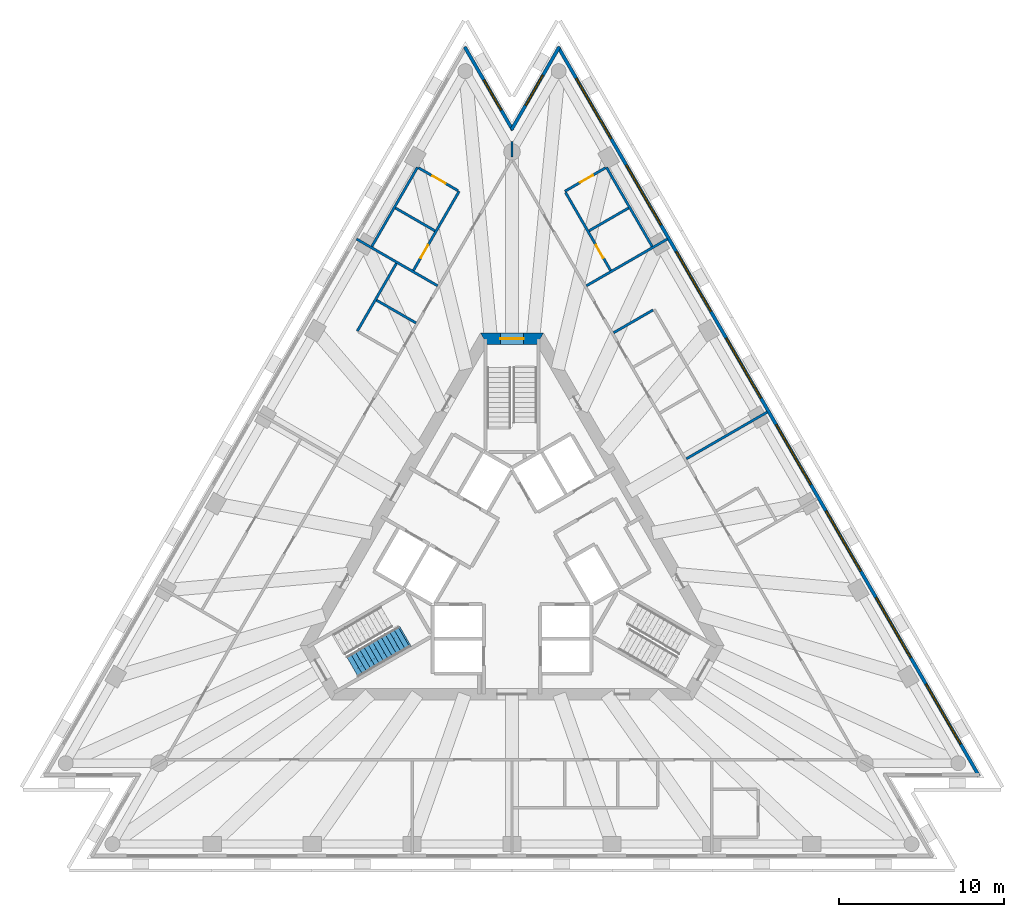
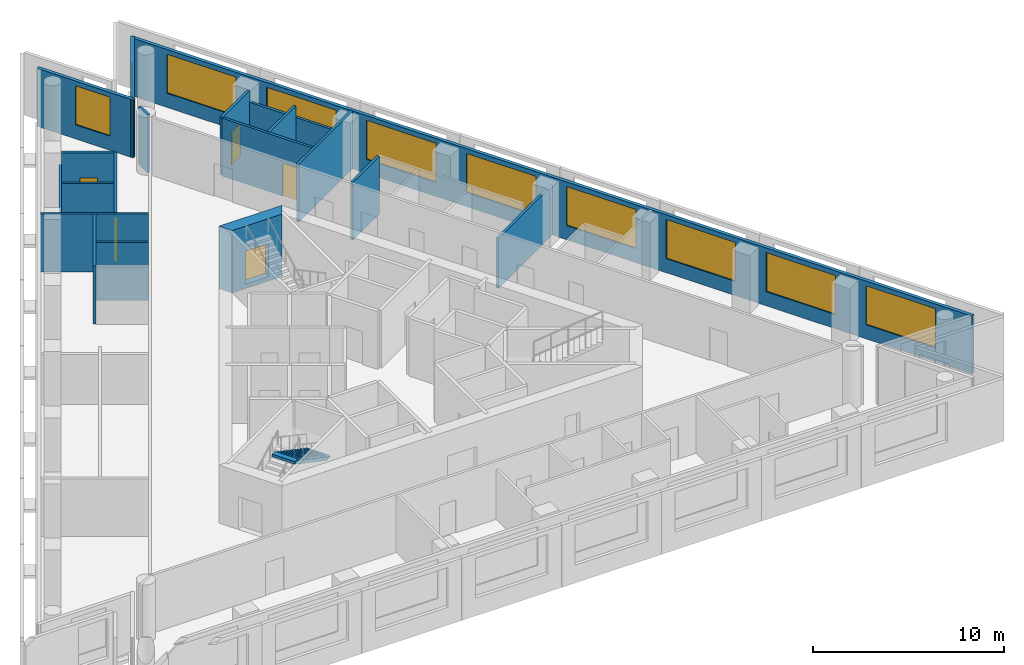
# One storey, part 6 of 9: 19 walls, 10 windows, 5 doors, 1 stair flight, 15 openings, 1 element without a shape of its own.
"""IFC4 building model written with IfcOpenShell, lengths in metres."""

from ifc_helpers import new_model, si_unit, direction, frame, frame_2d, origin, place, context, subcontext, project, spatial, polyline, rectangle, outline, extrude, material, layer, layer_set, layer_usage, type_object, element, fill, aggregate, save


model = new_model("IFC4")

# Units and contexts
model_context = context("Model", 3, precision=1e-05, world=origin(), true_north=direction((0.0, 1.0)))
body_context = subcontext(model_context, "Body", "Model", "MODEL_VIEW")
ifc_project = project(units=[si_unit("LENGTHUNIT", "METRE"), si_unit("AREAUNIT", "SQUARE_METRE"), si_unit("VOLUMEUNIT", "CUBIC_METRE"), si_unit("PLANEANGLEUNIT", "RADIAN"), si_unit("MASSUNIT", "GRAM", prefix="KILO")], contexts=[model_context])

# Site, building, storey
site_placement = place(None, origin())
site = spatial("IfcSite", under=ifc_project, at=site_placement, CompositionType="ELEMENT")
building_placement = place(site_placement, origin())
building = spatial("IfcBuilding", under=site, at=building_placement, Name="Triada Interchange Tower", CompositionType="ELEMENT")
storey_placement = place(building_placement, frame((0.0, 0.0, 219.300048828125)))
storey = spatial("IfcBuildingStorey", under=building, at=storey_placement, Name="L51", CompositionType="ELEMENT", Elevation=219.300048828125)

# Wall, opening, door
ifc_material_1 = material(Name="Concrete C50/60", Category="concrete")
ifc_layer_1 = layer(ifc_material_1, 0.699951171875)
ifc_layer_set_1 = layer_set([ifc_layer_1], Name="Core wall C 700")
wall_type_1 = type_object("IfcWallType", Name="Core wall C 700", PredefinedType="SHEAR", material=ifc_layer_set_1)
wall_1_placement = place(storey_placement, frame((1.702880859375, 13.35009765625, -0.300048828125), z_axis=(0.0, 0.0, 1.0), x_axis=(-1.0, 0.0, 0.0)))
wall_1 = element("IfcWall", 1, at=wall_1_placement, inside=storey, type_object=wall_type_1, Name="Core wall WC01 L51", PredefinedType="SHEAR", context=body_context, shape_type="SweptSolid", body=[
    extrude(outline(polyline([(-0.201904296875, -0.35009765625), (1.703125, -0.35009765625), (3.60791015625, -0.35009765625), (3.2041015625, 0.35009765625), (1.703125, 0.35009765625), (0.201904296875, 0.35009765625), (-0.201904296875, -0.35009765625)])), origin(), (0.0, 0.0, 1.0), 4.0),
])
opening_1_placement = place(wall_1_placement, frame((1.0029296875, 0.0, 0.300048828125)))
opening_1 = element("IfcOpeningElement", 2, at=opening_1_placement, cuts=wall_1, Name="Opening D50-39", PredefinedType="OPENING", context=body_context, shape_type="SweptSolid", body=[
    extrude(rectangle(XDim=1.39990234375, YDim=2.10009765625, at=frame_2d((0.699951171875, 1.050048828125))), frame((0.0, 0.360107421875, 0.0), z_axis=(0.0, -1.0, 0.0), x_axis=(1.0, 0.0, 0.0)), (0.0, 0.0, 1.0), 0.72021484375),
])
ifc_material_2 = material(Name="Steel S235 door leaf", Category="steel")
door_type_1 = type_object("IfcDoorType", Name="STAIR DOOR 1400 EI2 90-C5S200", OperationType="DOUBLE_DOOR_SINGLE_SWING", PredefinedType="DOOR", material=ifc_material_2)
door_1_placement = place(opening_1_placement, origin())
door_1 = element("IfcDoor", 3, at=door_1_placement, inside=storey, type_object=door_type_1, Name="Door D50-39 L51", OperationType="DOUBLE_DOOR_SINGLE_SWING", OverallHeight=2.10009765625, OverallWidth=1.39990234375, PredefinedType="DOOR", context=body_context, shape_type="SweptSolid", body=[
    extrude(rectangle(XDim=1.39990234375, YDim=2.10009765625, at=frame_2d((0.699951171875, 1.050048828125))), frame((0.0, 0.02490234375, 0.0), z_axis=(0.0, -1.0, 0.0), x_axis=(1.0, 0.0, 0.0)), (0.0, 0.0, 1.0), 0.050048828125),
])
fill(opening_1, door_1)

# Wall, openings, windows
ifc_material_3 = material(Name="Cement board")
ifc_layer_2 = layer(ifc_material_3, 0.02001953125, Name="Cement board cladding")
ifc_material_4 = material(Name="Sheathing board")
ifc_layer_3 = layer(ifc_material_4, 0.014892578125, Name="Sheathing board")
ifc_material_5 = material(Name="Mineral wool")
ifc_layer_4 = layer(ifc_material_5, 0.14990234375, Name="Mineral wool between steel studs")
ifc_material_6 = material(Name="Gypsum board")
ifc_layer_5 = layer(ifc_material_6, 0.014892578125, Name="Plasterboard lining")
ifc_layer_set_2 = layer_set([ifc_layer_2, ifc_layer_3, ifc_layer_4, ifc_layer_5], Name="External wall 200")
ifc_layer_usage = layer_usage(ifc_layer_set_2, "AXIS2", "POSITIVE", -0.10009765625)
wall_type_2 = type_object("IfcWallType", Name="External wall 200", PredefinedType="ELEMENTEDWALL", material=ifc_layer_set_2)
wall_2_placement = place(storey_placement, frame((28.242919921875, -13.097900390625, 0.0), z_axis=(0.0, 0.0, 1.0), x_axis=(-0.500001688958, 0.866024428662, 0.0)))
wall_2 = element("IfcWall", 4, at=wall_2_placement, inside=storey, type_object=wall_type_2, material=ifc_layer_usage, Name="External wall L51 NE", PredefinedType="ELEMENTEDWALL", context=body_context, shape_type="SweptSolid", body=[
    extrude(rectangle(XDim=50.909423828125, YDim=0.199951171875, at=frame_2d((25.45458984375, 0.0))), origin(), (0.0, 0.0, 1.0), 3.699951171875),
])
opening_2_placement = place(wall_2_placement, frame((2.222900390625, 0.0, 0.89990234375)))
opening_2 = element("IfcOpeningElement", 5, at=opening_2_placement, cuts=wall_2, Name="Opening WC21", PredefinedType="OPENING", context=body_context, shape_type="SweptSolid", body=[
    extrude(rectangle(XDim=4.199951171875, YDim=2.5, at=frame_2d((2.10009765625, 1.25))), frame((0.0, 0.10986328125, 0.0), z_axis=(0.0, -1.0, 0.0), x_axis=(1.0, 0.0, 0.0)), (0.0, 0.0, 1.0), 0.219970703125),
])
opening_3_placement = place(wall_2_placement, frame((8.262939453125, 0.0, 0.89990234375)))
opening_3 = element("IfcOpeningElement", 6, at=opening_3_placement, cuts=wall_2, Name="Opening WC22", PredefinedType="OPENING", context=body_context, shape_type="SweptSolid", body=[
    extrude(rectangle(XDim=4.199951171875, YDim=2.5, at=frame_2d((2.10009765625, 1.25))), frame((0.0, 0.10986328125, 0.0), z_axis=(0.0, -1.0, 0.0), x_axis=(1.0, 0.0, 0.0)), (0.0, 0.0, 1.0), 0.219970703125),
])
opening_4_placement = place(wall_2_placement, frame((14.303955078125, 0.0, 0.89990234375)))
opening_4 = element("IfcOpeningElement", 7, at=opening_4_placement, cuts=wall_2, Name="Opening WC23", PredefinedType="OPENING", context=body_context, shape_type="SweptSolid", body=[
    extrude(rectangle(XDim=4.199951171875, YDim=2.5, at=frame_2d((2.10009765625, 1.25))), frame((0.0, 0.10986328125, 0.0), z_axis=(0.0, -1.0, 0.0), x_axis=(1.0, 0.0, 0.0)), (0.0, 0.0, 1.0), 0.219970703125),
])
opening_5_placement = place(wall_2_placement, frame((20.344970703125, 0.0, 0.89990234375)))
opening_5 = element("IfcOpeningElement", 8, at=opening_5_placement, cuts=wall_2, Name="Opening WC24", PredefinedType="OPENING", context=body_context, shape_type="SweptSolid", body=[
    extrude(rectangle(XDim=4.199951171875, YDim=2.5, at=frame_2d((2.10009765625, 1.25))), frame((0.0, 0.10986328125, 0.0), z_axis=(0.0, -1.0, 0.0), x_axis=(1.0, 0.0, 0.0)), (0.0, 0.0, 1.0), 0.219970703125),
])
opening_6_placement = place(wall_2_placement, frame((26.385009765625, 0.0, 0.89990234375)))
opening_6 = element("IfcOpeningElement", 9, at=opening_6_placement, cuts=wall_2, Name="Opening WC25", PredefinedType="OPENING", context=body_context, shape_type="SweptSolid", body=[
    extrude(rectangle(XDim=4.199951171875, YDim=2.5, at=frame_2d((2.10009765625, 1.25))), frame((0.0, 0.10986328125, 0.0), z_axis=(0.0, -1.0, 0.0), x_axis=(1.0, 0.0, 0.0)), (0.0, 0.0, 1.0), 0.219970703125),
])
opening_7_placement = place(wall_2_placement, frame((32.426025390625, 0.0, 0.89990234375)))
opening_7 = element("IfcOpeningElement", 10, at=opening_7_placement, cuts=wall_2, Name="Opening WC26", PredefinedType="OPENING", context=body_context, shape_type="SweptSolid", body=[
    extrude(rectangle(XDim=4.199951171875, YDim=2.5, at=frame_2d((2.10009765625, 1.25))), frame((0.0, 0.10986328125, 0.0), z_axis=(0.0, -1.0, 0.0), x_axis=(1.0, 0.0, 0.0)), (0.0, 0.0, 1.0), 0.219970703125),
])
opening_8_placement = place(wall_2_placement, frame((38.466064453125, 0.0, 0.89990234375)))
opening_8 = element("IfcOpeningElement", 11, at=opening_8_placement, cuts=wall_2, Name="Opening WC27", PredefinedType="OPENING", context=body_context, shape_type="SweptSolid", body=[
    extrude(rectangle(XDim=4.199951171875, YDim=2.5, at=frame_2d((2.10009765625, 1.25))), frame((0.0, 0.10986328125, 0.0), z_axis=(0.0, -1.0, 0.0), x_axis=(1.0, 0.0, 0.0)), (0.0, 0.0, 1.0), 0.219970703125),
])
opening_9_placement = place(wall_2_placement, frame((44.507080078125, 0.0, 0.89990234375)))
opening_9 = element("IfcOpeningElement", 12, at=opening_9_placement, cuts=wall_2, Name="Opening WC28", PredefinedType="OPENING", context=body_context, shape_type="SweptSolid", body=[
    extrude(rectangle(XDim=4.199951171875, YDim=2.5, at=frame_2d((2.10009765625, 1.25))), frame((0.0, 0.10986328125, 0.0), z_axis=(0.0, -1.0, 0.0), x_axis=(1.0, 0.0, 0.0)), (0.0, 0.0, 1.0), 0.219970703125),
])
ifc_material_7 = material(Name="Double glazed aluminium window", Category="aluminium")
window_type_1 = type_object("IfcWindowType", Name="Ribbon window C face", PartitioningType="SINGLE_PANEL", PredefinedType="WINDOW", material=ifc_material_7)
window_1_placement = place(opening_2_placement, origin())
window_1 = element("IfcWindow", 13, at=window_1_placement, inside=storey, type_object=window_type_1, Name="Window L51 NE 1", OverallHeight=2.5, OverallWidth=4.199951171875, PartitioningType="SINGLE_PANEL", PredefinedType="WINDOW", context=body_context, shape_type="SweptSolid", body=[
    extrude(rectangle(XDim=4.199951171875, YDim=2.5, at=frame_2d((2.10009765625, 1.25))), frame((0.0, 0.030029296875, 0.0), z_axis=(0.0, -1.0, 0.0), x_axis=(1.0, 0.0, 0.0)), (0.0, 0.0, 1.0), 0.06005859375),
])
fill(opening_2, window_1)
window_2_placement = place(opening_3_placement, origin())
window_2 = element("IfcWindow", 14, at=window_2_placement, inside=storey, type_object=window_type_1, Name="Window L51 NE 2", OverallHeight=2.5, OverallWidth=4.199951171875, PartitioningType="SINGLE_PANEL", PredefinedType="WINDOW", context=body_context, shape_type="SweptSolid", body=[
    extrude(rectangle(XDim=4.199951171875, YDim=2.5, at=frame_2d((2.10009765625, 1.25))), frame((0.0, 0.030029296875, 0.0), z_axis=(0.0, -1.0, 0.0), x_axis=(1.0, 0.0, 0.0)), (0.0, 0.0, 1.0), 0.06005859375),
])
fill(opening_3, window_2)
window_3_placement = place(opening_4_placement, origin())
window_3 = element("IfcWindow", 15, at=window_3_placement, inside=storey, type_object=window_type_1, Name="Window L51 NE 3", OverallHeight=2.5, OverallWidth=4.199951171875, PartitioningType="SINGLE_PANEL", PredefinedType="WINDOW", context=body_context, shape_type="SweptSolid", body=[
    extrude(rectangle(XDim=4.199951171875, YDim=2.5, at=frame_2d((2.10009765625, 1.25))), frame((0.0, 0.030029296875, 0.0), z_axis=(0.0, -1.0, 0.0), x_axis=(1.0, 0.0, 0.0)), (0.0, 0.0, 1.0), 0.06005859375),
])
fill(opening_4, window_3)
window_4_placement = place(opening_5_placement, origin())
window_4 = element("IfcWindow", 16, at=window_4_placement, inside=storey, type_object=window_type_1, Name="Window L51 NE 4", OverallHeight=2.5, OverallWidth=4.199951171875, PartitioningType="SINGLE_PANEL", PredefinedType="WINDOW", context=body_context, shape_type="SweptSolid", body=[
    extrude(rectangle(XDim=4.199951171875, YDim=2.5, at=frame_2d((2.10009765625, 1.25))), frame((0.0, 0.030029296875, 0.0), z_axis=(0.0, -1.0, 0.0), x_axis=(1.0, 0.0, 0.0)), (0.0, 0.0, 1.0), 0.06005859375),
])
fill(opening_5, window_4)
window_5_placement = place(opening_6_placement, origin())
window_5 = element("IfcWindow", 17, at=window_5_placement, inside=storey, type_object=window_type_1, Name="Window L51 NE 5", OverallHeight=2.5, OverallWidth=4.199951171875, PartitioningType="SINGLE_PANEL", PredefinedType="WINDOW", context=body_context, shape_type="SweptSolid", body=[
    extrude(rectangle(XDim=4.199951171875, YDim=2.5, at=frame_2d((2.10009765625, 1.25))), frame((0.0, 0.030029296875, 0.0), z_axis=(0.0, -1.0, 0.0), x_axis=(1.0, 0.0, 0.0)), (0.0, 0.0, 1.0), 0.06005859375),
])
fill(opening_6, window_5)
window_6_placement = place(opening_7_placement, origin())
window_6 = element("IfcWindow", 18, at=window_6_placement, inside=storey, type_object=window_type_1, Name="Window L51 NE 6", OverallHeight=2.5, OverallWidth=4.199951171875, PartitioningType="SINGLE_PANEL", PredefinedType="WINDOW", context=body_context, shape_type="SweptSolid", body=[
    extrude(rectangle(XDim=4.199951171875, YDim=2.5, at=frame_2d((2.10009765625, 1.25))), frame((0.0, 0.030029296875, 0.0), z_axis=(0.0, -1.0, 0.0), x_axis=(1.0, 0.0, 0.0)), (0.0, 0.0, 1.0), 0.06005859375),
])
fill(opening_7, window_6)
window_7_placement = place(opening_8_placement, origin())
window_7 = element("IfcWindow", 19, at=window_7_placement, inside=storey, type_object=window_type_1, Name="Window L51 NE 7", OverallHeight=2.5, OverallWidth=4.199951171875, PartitioningType="SINGLE_PANEL", PredefinedType="WINDOW", context=body_context, shape_type="SweptSolid", body=[
    extrude(rectangle(XDim=4.199951171875, YDim=2.5, at=frame_2d((2.10009765625, 1.25))), frame((0.0, 0.030029296875, 0.0), z_axis=(0.0, -1.0, 0.0), x_axis=(1.0, 0.0, 0.0)), (0.0, 0.0, 1.0), 0.06005859375),
])
fill(opening_8, window_7)
window_8_placement = place(opening_9_placement, origin())
window_8 = element("IfcWindow", 20, at=window_8_placement, inside=storey, type_object=window_type_1, Name="Window L51 NE 8", OverallHeight=2.5, OverallWidth=4.199951171875, PartitioningType="SINGLE_PANEL", PredefinedType="WINDOW", context=body_context, shape_type="SweptSolid", body=[
    extrude(rectangle(XDim=4.199951171875, YDim=2.5, at=frame_2d((2.10009765625, 1.25))), frame((0.0, 0.030029296875, 0.0), z_axis=(0.0, -1.0, 0.0), x_axis=(1.0, 0.0, 0.0)), (0.0, 0.0, 1.0), 0.06005859375),
])
fill(opening_9, window_8)

# Wall, opening, window
wall_3_placement = place(storey_placement, frame((2.867919921875, 31.008056640625, 0.0), z_axis=(0.0, 0.0, 1.0), x_axis=(-0.499983322773, -0.866035032172, 0.0)))
wall_3 = element("IfcWall", 21, at=wall_3_placement, inside=storey, type_object=wall_type_2, material=ifc_layer_usage, Name="External wall L51 N-1", PredefinedType="ELEMENTEDWALL", context=body_context, shape_type="SweptSolid", body=[
    extrude(rectangle(XDim=5.805908203125, YDim=0.199951171875, at=frame_2d((2.90283203125, 0.0))), origin(), (0.0, 0.0, 1.0), 3.699951171875),
])
opening_10_placement = place(wall_3_placement, frame((1.989990234375, 0.0, 0.89990234375)))
opening_10 = element("IfcOpeningElement", 22, at=opening_10_placement, cuts=wall_3, Name="Opening WC29", PredefinedType="OPENING", context=body_context, shape_type="SweptSolid", body=[
    extrude(rectangle(XDim=2.10009765625, YDim=2.5, at=frame_2d((1.050048828125, 1.25))), frame((0.0, 0.10986328125, 0.0), z_axis=(0.0, -1.0, 0.0), x_axis=(1.0, 0.0, 0.0)), (0.0, 0.0, 1.0), 0.219970703125),
])
window_type_2 = type_object("IfcWindowType", Name="Ribbon window C pocket", PartitioningType="SINGLE_PANEL", PredefinedType="WINDOW", material=ifc_material_7)
window_9_placement = place(opening_10_placement, origin())
window_9 = element("IfcWindow", 23, at=window_9_placement, inside=storey, type_object=window_type_2, Name="Window L51 N-1 1", OverallHeight=2.5, OverallWidth=2.10009765625, PartitioningType="SINGLE_PANEL", PredefinedType="WINDOW", context=body_context, shape_type="SweptSolid", body=[
    extrude(rectangle(XDim=2.10009765625, YDim=2.5, at=frame_2d((1.050048828125, 1.25))), frame((0.0, 0.030029296875, 0.0), z_axis=(0.0, -1.0, 0.0), x_axis=(1.0, 0.0, 0.0)), (0.0, 0.0, 1.0), 0.06005859375),
])
fill(opening_10, window_9)

wall_4_placement = place(storey_placement, frame((0.044921875, 25.962890625, 0.0), z_axis=(0.0, 0.0, 1.0), x_axis=(-0.499983322773, 0.866035032172, 0.0)))
wall_4 = element("IfcWall", 24, at=wall_4_placement, inside=storey, type_object=wall_type_2, material=ifc_layer_usage, Name="External wall L51 N-2", PredefinedType="ELEMENTEDWALL", context=body_context, shape_type="SweptSolid", body=[
    extrude(rectangle(XDim=5.805908203125, YDim=0.199951171875, at=frame_2d((2.90283203125, 0.0))), origin(), (0.0, 0.0, 1.0), 3.699951171875),
])
opening_11_placement = place(wall_4_placement, frame((1.389892578125, 0.0, 0.89990234375)))
opening_11 = element("IfcOpeningElement", 25, at=opening_11_placement, cuts=wall_4, Name="Opening WC30", PredefinedType="OPENING", context=body_context, shape_type="SweptSolid", body=[
    extrude(rectangle(XDim=2.10009765625, YDim=2.5, at=frame_2d((1.050048828125, 1.25))), frame((0.0, 0.10986328125, 0.0), z_axis=(0.0, -1.0, 0.0), x_axis=(1.0, 0.0, 0.0)), (0.0, 0.0, 1.0), 0.219970703125),
])
window_10_placement = place(opening_11_placement, origin())
window_10 = element("IfcWindow", 26, at=window_10_placement, inside=storey, type_object=window_type_2, Name="Window L51 N-2 1", OverallHeight=2.5, OverallWidth=2.10009765625, PartitioningType="SINGLE_PANEL", PredefinedType="WINDOW", context=body_context, shape_type="SweptSolid", body=[
    extrude(rectangle(XDim=2.10009765625, YDim=2.5, at=frame_2d((1.050048828125, 1.25))), frame((0.0, 0.030029296875, 0.0), z_axis=(0.0, -1.0, 0.0), x_axis=(1.0, 0.0, 0.0)), (0.0, 0.0, 1.0), 0.06005859375),
])
fill(opening_11, window_10)

# Walls
ifc_material_8 = material(Name="Gypsum board partition")
ifc_layer_6 = layer(ifc_material_8, 0.14990234375)
ifc_layer_set_3 = layer_set([ifc_layer_6], Name="PARTITION 150 EI 180")
wall_type_3 = type_object("IfcWallType", Name="PARTITION 150 EI 180", PredefinedType="PARTITIONING", material=ifc_layer_set_3)
wall_5_placement = place(storey_placement, frame((10.5439453125, 6.0869140625, 0.0), z_axis=(0.0, 0.0, 1.0), x_axis=(0.865959810878, 0.500113593041, 0.0)))
element("IfcWall", 27, at=wall_5_placement, inside=storey, type_object=wall_type_3, Name="Wall L50 2", PredefinedType="PARTITIONING", context=body_context, shape_type="SweptSolid", body=[
    extrude(rectangle(XDim=5.655029296875, YDim=0.14990234375, at=frame_2d((2.82763671875, 0.0))), origin(), (0.0, 0.0, 1.0), 3.199951171875),
])
wall_6_placement = place(storey_placement, frame((-9.40087890625, 19.3779296875, 0.0), z_axis=(0.0, 0.0, 1.0), x_axis=(0.866021685936, -0.500006439447, 0.0)))
element("IfcWall", 28, at=wall_6_placement, inside=storey, type_object=wall_type_3, Name="Wall L50 8", PredefinedType="PARTITIONING", context=body_context, shape_type="SweptSolid", body=[
    extrude(rectangle(XDim=5.65576171875, YDim=0.14990234375, at=frame_2d((2.827880859375, 0.0))), origin(), (0.0, 0.0, 1.0), 3.699951171875),
])
wall_7_placement = place(storey_placement, frame((-9.35400390625, 13.80810546875, 0.0), z_axis=(0.0, 0.0, 1.0), x_axis=(0.499946109042, 0.866056515508, 0.0)))
element("IfcWall", 29, at=wall_7_placement, inside=storey, type_object=wall_type_3, Name="Wall L50 9", PredefinedType="PARTITIONING", context=body_context, shape_type="SweptSolid", body=[
    extrude(rectangle(XDim=4.724609375, YDim=0.14990234375, at=frame_2d((2.3623046875, 0.0))), origin(), (0.0, 0.0, 1.0), 3.699951171875),
])
wall_8_placement = place(storey_placement, frame((-8.18896484375, 15.676025390625, 0.0), z_axis=(0.0, 0.0, 1.0), x_axis=(0.866119184418, -0.499837531988, 0.0)))
element("IfcWall", 30, at=wall_8_placement, inside=storey, type_object=wall_type_3, Name="Wall L50 11", PredefinedType="PARTITIONING", context=body_context, shape_type="SweptSolid", body=[
    extrude(rectangle(XDim=2.7548828125, YDim=0.14990234375, at=frame_2d((1.37744140625, 0.0))), origin(), (0.0, 0.0, 1.0), 3.699951171875),
])
wall_9_placement = place(storey_placement, frame((0.0, 24.35009765625, 0.0), z_axis=(0.0, 0.0, 1.0), x_axis=(0.0, 1.0, 0.0)))
element("IfcWall", 31, at=wall_9_placement, inside=storey, type_object=wall_type_3, Name="Wall L50 14", PredefinedType="PARTITIONING", context=body_context, shape_type="SweptSolid", body=[
    extrude(rectangle(XDim=0.910888671875, YDim=0.14990234375, at=frame_2d((0.45556640625, 0.0))), origin(), (0.0, 0.0, 1.0), 3.699951171875),
])
wall_10_placement = place(storey_placement, frame((4.5029296875, 16.550048828125, 0.0), z_axis=(0.0, 0.0, 1.0), x_axis=(0.866021685936, 0.500006439447, 0.0)))
element("IfcWall", 32, at=wall_10_placement, inside=storey, type_object=wall_type_3, Name="Wall L50 18", PredefinedType="PARTITIONING", context=body_context, shape_type="SweptSolid", body=[
    extrude(rectangle(XDim=5.65576171875, YDim=0.14990234375, at=frame_2d((2.827880859375, 0.0))), origin(), (0.0, 0.0, 1.0), 3.699951171875),
])
wall_11_placement = place(storey_placement, frame((6.14404296875, 13.708984375, 0.0), z_axis=(0.0, 0.0, 1.0), x_axis=(0.866119184418, 0.499837531988, 0.0)))
element("IfcWall", 33, at=wall_11_placement, inside=storey, type_object=wall_type_3, Name="Wall L50 21", PredefinedType="PARTITIONING", context=body_context, shape_type="SweptSolid", body=[
    extrude(rectangle(XDim=2.7548828125, YDim=0.14990234375, at=frame_2d((1.37744140625, 0.0))), origin(), (0.0, 0.0, 1.0), 3.699951171875),
])
ifc_layer_7 = layer(ifc_material_8, 0.14990234375)
ifc_layer_set_4 = layer_set([ifc_layer_7], Name="PARTITION 150 EI 90")
wall_type_4 = type_object("IfcWallType", Name="PARTITION 150 EI 90", PredefinedType="PARTITIONING", material=ifc_layer_set_4)
wall_12_placement = place(storey_placement, frame((-8.47509765625, 18.929931640625, 0.0), z_axis=(0.0, 0.0, 1.0), x_axis=(0.499931554694, 0.866064917094, 0.0)))
element("IfcWall", 34, at=wall_12_placement, inside=storey, type_object=wall_type_4, Name="Wall L50 30", PredefinedType="PARTITIONING", context=body_context, shape_type="SweptSolid", body=[
    extrude(rectangle(XDim=5.525146484375, YDim=0.14990234375, at=frame_2d((2.7626953125, 0.0))), origin(), (0.0, 0.0, 1.0), 2.949951171875),
])

# Wall, opening, door
wall_13_placement = place(storey_placement, frame((-5.9599609375, 17.47802734375, 0.0), z_axis=(0.0, 0.0, 1.0), x_axis=(0.500050108258, 0.865996471835, 0.0)))
wall_13 = element("IfcWall", 35, at=wall_13_placement, inside=storey, type_object=wall_type_4, Name="Wall L50 31", PredefinedType="PARTITIONING", context=body_context, shape_type="SweptSolid", body=[
    extrude(rectangle(XDim=5.525390625, YDim=0.14990234375, at=frame_2d((2.7626953125, 0.0))), origin(), (0.0, 0.0, 1.0), 3.699951171875),
])
opening_12_placement = place(wall_13_placement, frame((0.875, 0.0, 0.0)))
opening_12 = element("IfcOpeningElement", 36, at=opening_12_placement, cuts=wall_13, Name="Opening D50-30", PredefinedType="OPENING", context=body_context, shape_type="SweptSolid", body=[
    extrude(rectangle(XDim=0.89990234375, YDim=2.10009765625, at=frame_2d((0.449951171875, 1.050048828125))), frame((0.0, 0.0849609375, 0.0), z_axis=(0.0, -1.0, 0.0), x_axis=(1.0, 0.0, 0.0)), (0.0, 0.0, 1.0), 0.169921875),
])
door_type_2 = type_object("IfcDoorType", Name="ROOM DOOR 900 EI2 45-C5S200", OperationType="NOTDEFINED", PredefinedType="DOOR", material=ifc_material_2)
door_2_placement = place(opening_12_placement, origin())
door_2 = element("IfcDoor", 37, at=door_2_placement, inside=storey, type_object=door_type_2, Name="Door D50-30 L51", OperationType="SINGLE_SWING_LEFT", OverallHeight=2.10009765625, OverallWidth=0.89990234375, PredefinedType="DOOR", context=body_context, shape_type="SweptSolid", body=[
    extrude(rectangle(XDim=0.89990234375, YDim=2.10009765625, at=frame_2d((0.449951171875, 1.050048828125))), frame((0.0, 0.02490234375, 0.0), z_axis=(0.0, -1.0, 0.0), x_axis=(1.0, 0.0, 0.0)), (0.0, 0.0, 1.0), 0.050048828125),
])
fill(opening_12, door_2)

wall_14_placement = place(storey_placement, frame((-5.64794921875, 23.677978515625, 0.0), z_axis=(0.0, 0.0, 1.0), x_axis=(0.865965703354, -0.500103389924, 0.0)))
wall_14 = element("IfcWall", 38, at=wall_14_placement, inside=storey, type_object=wall_type_4, Name="Wall L50 32", PredefinedType="PARTITIONING", context=body_context, shape_type="SweptSolid", body=[
    extrude(rectangle(XDim=2.75537109375, YDim=0.14990234375, at=frame_2d((1.377685546875, 0.0))), origin(), (0.0, 0.0, 1.0), 3.699951171875),
])
opening_13_placement = place(wall_14_placement, frame((0.97509765625, 0.0, 0.0)))
opening_13 = element("IfcOpeningElement", 39, at=opening_13_placement, cuts=wall_14, Name="Opening D50-31", PredefinedType="OPENING", context=body_context, shape_type="SweptSolid", body=[
    extrude(rectangle(XDim=0.89990234375, YDim=2.10009765625, at=frame_2d((0.449951171875, 1.050048828125))), frame((0.0, 0.0849609375, 0.0), z_axis=(0.0, -1.0, 0.0), x_axis=(1.0, 0.0, 0.0)), (0.0, 0.0, 1.0), 0.169921875),
])
door_3_placement = place(opening_13_placement, origin())
door_3 = element("IfcDoor", 40, at=door_3_placement, inside=storey, type_object=door_type_2, Name="Door D50-31 L51", OperationType="SINGLE_SWING_RIGHT", OverallHeight=2.10009765625, OverallWidth=0.89990234375, PredefinedType="DOOR", context=body_context, shape_type="SweptSolid", body=[
    extrude(rectangle(XDim=0.89990234375, YDim=2.10009765625, at=frame_2d((0.449951171875, 1.050048828125))), frame((0.0, 0.02490234375, 0.0), z_axis=(0.0, -1.0, 0.0), x_axis=(1.0, 0.0, 0.0)), (0.0, 0.0, 1.0), 0.050048828125),
])
fill(opening_13, door_3)

# Walls
for number, where, z_axis, x_axis, name in (
    (41, (-7.048095703125, 21.2529296875, 0.0), (0.0, 0.0, 1.0), (0.865965703354, -0.500103389924, 0.0), "Wall L50 33"),
    (42, (4.662109375, 19.875, 0.0), (0.0, 0.0, 1.0), (0.865965703354, 0.500103389924, 0.0), "Wall L50 34"),
):
    element("IfcWall", number, at=place(storey_placement, frame(where, z_axis=z_axis, x_axis=x_axis)), inside=storey, type_object=wall_type_4, Name=name, PredefinedType="PARTITIONING", context=body_context, shape_type="SweptSolid", body=[
        extrude(rectangle(XDim=2.75537109375, YDim=0.14990234375, at=frame_2d((1.377685546875, 0.0))), origin(), (0.0, 0.0, 1.0), 3.699951171875),
    ])
wall_15_placement = place(storey_placement, frame((5.712890625, 23.715087890625, 0.0), z_axis=(0.0, 0.0, 1.0), x_axis=(0.499931554694, -0.866064917094, 0.0)))
element("IfcWall", 43, at=wall_15_placement, inside=storey, type_object=wall_type_4, Name="Wall L50 35", PredefinedType="PARTITIONING", context=body_context, shape_type="SweptSolid", body=[
    extrude(rectangle(XDim=5.525146484375, YDim=0.14990234375, at=frame_2d((2.7626953125, 0.0))), origin(), (0.0, 0.0, 1.0), 2.949951171875),
])

# Wall, opening, door
wall_16_placement = place(storey_placement, frame((3.197021484375, 22.262939453125, 0.0), z_axis=(0.0, 0.0, 1.0), x_axis=(0.86602612668, 0.499998747907, 0.0)))
wall_16 = element("IfcWall", 44, at=wall_16_placement, inside=storey, type_object=wall_type_4, Name="Wall L50 36", PredefinedType="PARTITIONING", context=body_context, shape_type="SweptSolid", body=[
    extrude(rectangle(XDim=2.830078125, YDim=0.14990234375, at=frame_2d((1.4150390625, 0.0))), origin(), (0.0, 0.0, 1.0), 3.699951171875),
])
opening_14_placement = place(wall_16_placement, frame((1.050048828125, 0.0, 0.0)))
opening_14 = element("IfcOpeningElement", 45, at=opening_14_placement, cuts=wall_16, Name="Opening D50-28", PredefinedType="OPENING", context=body_context, shape_type="SweptSolid", body=[
    extrude(rectangle(XDim=0.89990234375, YDim=2.10009765625, at=frame_2d((0.449951171875, 1.050048828125))), frame((0.0, 0.0849609375, 0.0), z_axis=(0.0, -1.0, 0.0), x_axis=(1.0, 0.0, 0.0)), (0.0, 0.0, 1.0), 0.169921875),
])
door_4_placement = place(opening_14_placement, origin())
door_4 = element("IfcDoor", 46, at=door_4_placement, inside=storey, type_object=door_type_2, Name="Door D50-28 L51", OperationType="SINGLE_SWING_LEFT", OverallHeight=2.10009765625, OverallWidth=0.89990234375, PredefinedType="DOOR", context=body_context, shape_type="SweptSolid", body=[
    extrude(rectangle(XDim=0.89990234375, YDim=2.10009765625, at=frame_2d((0.449951171875, 1.050048828125))), frame((0.0, 0.02490234375, 0.0), z_axis=(0.0, -1.0, 0.0), x_axis=(1.0, 0.0, 0.0)), (0.0, 0.0, 1.0), 0.050048828125),
])
fill(opening_14, door_4)

wall_17_placement = place(storey_placement, frame((3.235107421875, 22.197998046875, 0.0), z_axis=(0.0, 0.0, 1.0), x_axis=(0.49996933381, -0.866043108194, 0.0)))
wall_17 = element("IfcWall", 47, at=wall_17_placement, inside=storey, type_object=wall_type_4, Name="Wall L50 37", PredefinedType="PARTITIONING", context=body_context, shape_type="SweptSolid", body=[
    extrude(rectangle(XDim=5.449951171875, YDim=0.14990234375, at=frame_2d((2.72509765625, 0.0))), origin(), (0.0, 0.0, 1.0), 3.699951171875),
])
opening_15_placement = place(wall_17_placement, frame((3.675048828125, 0.0, 0.0)))
opening_15 = element("IfcOpeningElement", 48, at=opening_15_placement, cuts=wall_17, Name="Opening D50-27", PredefinedType="OPENING", context=body_context, shape_type="SweptSolid", body=[
    extrude(rectangle(XDim=0.89990234375, YDim=2.10009765625, at=frame_2d((0.449951171875, 1.050048828125))), frame((0.0, 0.0849609375, 0.0), z_axis=(0.0, -1.0, 0.0), x_axis=(1.0, 0.0, 0.0)), (0.0, 0.0, 1.0), 0.169921875),
])
door_5_placement = place(opening_15_placement, origin())
door_5 = element("IfcDoor", 49, at=door_5_placement, inside=storey, type_object=door_type_2, Name="Door D50-27 L51", OperationType="SINGLE_SWING_RIGHT", OverallHeight=2.10009765625, OverallWidth=0.89990234375, PredefinedType="DOOR", context=body_context, shape_type="SweptSolid", body=[
    extrude(rectangle(XDim=0.89990234375, YDim=2.10009765625, at=frame_2d((0.449951171875, 1.050048828125))), frame((0.0, 0.02490234375, 0.0), z_axis=(0.0, -1.0, 0.0), x_axis=(1.0, 0.0, 0.0)), (0.0, 0.0, 1.0), 0.050048828125),
])
fill(opening_15, door_5)

# Stair, stair flight
ifc_material_9 = material(Name="Concrete C35/45", Category="concrete")
stair_type = type_object("IfcStairType", Name="HALF TURN STAIR 1400", PredefinedType="HALF_TURN_STAIR", material=ifc_material_9)
stair_placement = place(storey_placement, origin())
stair = element("IfcStair", 50, at=stair_placement, inside=storey, type_object=stair_type, Name="Exit stair S50-2", PredefinedType="HALF_TURN_STAIR")
stair_flight_type = type_object("IfcStairFlightType", Name="STRAIGHT STAIR FLIGHT 1400", PredefinedType="STRAIGHT", material=ifc_material_9)
stair_flight_placement = place(storey_placement, frame((-6.528076171875, -4.693115234375, 1.919921875), z_axis=(0.0, 0.0, 1.0), x_axis=(-0.866025403784, -0.5, 0.0)))
stair_flight = element("IfcStairFlight", 51, at=stair_flight_placement, type_object=stair_flight_type, Name="S50-2 flight 2", NumberOfRisers=13, NumberOfTreads=12, PredefinedType="STRAIGHT", RiserHeight=0.16, TreadLength=0.3, context=body_context, shape_type="SweptSolid", body=[
    extrude(outline(polyline([(-0.10009765625, 0.0), (-0.10009765625, 0.02001953125), (0.0, 0.02001953125), (0.0, 0.159912109375), (0.300048828125, 0.159912109375), (0.300048828125, 0.320068359375), (0.60009765625, 0.320068359375), (0.60009765625, 0.47998046875), (0.89990234375, 0.47998046875), (0.89990234375, 0.639892578125), (1.199951171875, 0.639892578125), (1.199951171875, 0.800048828125), (1.5, 0.800048828125), (1.5, 0.9599609375), (1.800048828125, 0.9599609375), (1.800048828125, 1.1201171875), (2.10009765625, 1.1201171875), (2.10009765625, 1.280029296875), (2.39990234375, 1.280029296875), (2.39990234375, 1.43994140625), (2.699951171875, 1.43994140625), (2.699951171875, 1.60009765625), (3.0, 1.60009765625), (3.0, 1.760009765625), (3.300048828125, 1.760009765625), (3.300048828125, 1.919921875), (3.60009765625, 1.919921875), (3.60400390625, 1.919921875), (3.60400390625, 2.080078125), (3.60400390625, 1.75), (0.318603515625, 0.0), (-0.10009765625, 0.0)])), frame((0.0, 0.699951171875, 0.0), z_axis=(0.0, -1.0, 0.0), x_axis=(1.0, 0.0, 0.0)), (0.0, 0.0, 1.0), 0.46533203125),
    extrude(outline(polyline([(-0.10009765625, 0.0), (-0.10009765625, 0.02001953125), (0.0, 0.02001953125), (0.0, 0.159912109375), (0.300048828125, 0.159912109375), (0.300048828125, 0.320068359375), (0.60009765625, 0.320068359375), (0.60009765625, 0.47998046875), (0.89990234375, 0.47998046875), (0.89990234375, 0.639892578125), (1.199951171875, 0.639892578125), (1.199951171875, 0.800048828125), (1.5, 0.800048828125), (1.5, 0.9599609375), (1.800048828125, 0.9599609375), (1.800048828125, 1.1201171875), (2.10009765625, 1.1201171875), (2.10009765625, 1.280029296875), (2.39990234375, 1.280029296875), (2.39990234375, 1.43994140625), (2.699951171875, 1.43994140625), (2.699951171875, 1.60009765625), (3.0, 1.60009765625), (3.0, 1.760009765625), (3.300048828125, 1.760009765625), (3.300048828125, 1.919921875), (3.60009765625, 1.919921875), (3.60400390625, 1.919921875), (3.60400390625, 2.080078125), (3.60400390625, 1.75), (0.318603515625, 0.0), (-0.10009765625, 0.0)])), frame((0.0, 0.232666015625, 0.0), z_axis=(0.0, -1.0, 0.0), x_axis=(1.0, 0.0, 0.0)), (0.0, 0.0, 1.0), 0.46533203125),
    extrude(outline(polyline([(-0.10009765625, 0.0), (-0.10009765625, 0.02001953125), (0.0, 0.02001953125), (0.0, 0.159912109375), (0.300048828125, 0.159912109375), (0.300048828125, 0.320068359375), (0.60009765625, 0.320068359375), (0.60009765625, 0.47998046875), (0.89990234375, 0.47998046875), (0.89990234375, 0.639892578125), (1.199951171875, 0.639892578125), (1.199951171875, 0.800048828125), (1.5, 0.800048828125), (1.5, 0.9599609375), (1.800048828125, 0.9599609375), (1.800048828125, 1.1201171875), (2.10009765625, 1.1201171875), (2.10009765625, 1.280029296875), (2.39990234375, 1.280029296875), (2.39990234375, 1.43994140625), (2.699951171875, 1.43994140625), (2.699951171875, 1.60009765625), (3.0, 1.60009765625), (3.0, 1.760009765625), (3.300048828125, 1.760009765625), (3.300048828125, 1.919921875), (3.60009765625, 1.919921875), (3.60400390625, 1.919921875), (3.60400390625, 2.080078125), (3.60400390625, 1.75), (0.318603515625, 0.0), (-0.10009765625, 0.0)])), frame((0.0, -0.234619140625, 0.0), z_axis=(0.0, -1.0, 0.0), x_axis=(1.0, 0.0, 0.0)), (0.0, 0.0, 1.0), 0.46533203125),
])
aggregate(stair, [stair_flight])

save(model, "model.ifc")
